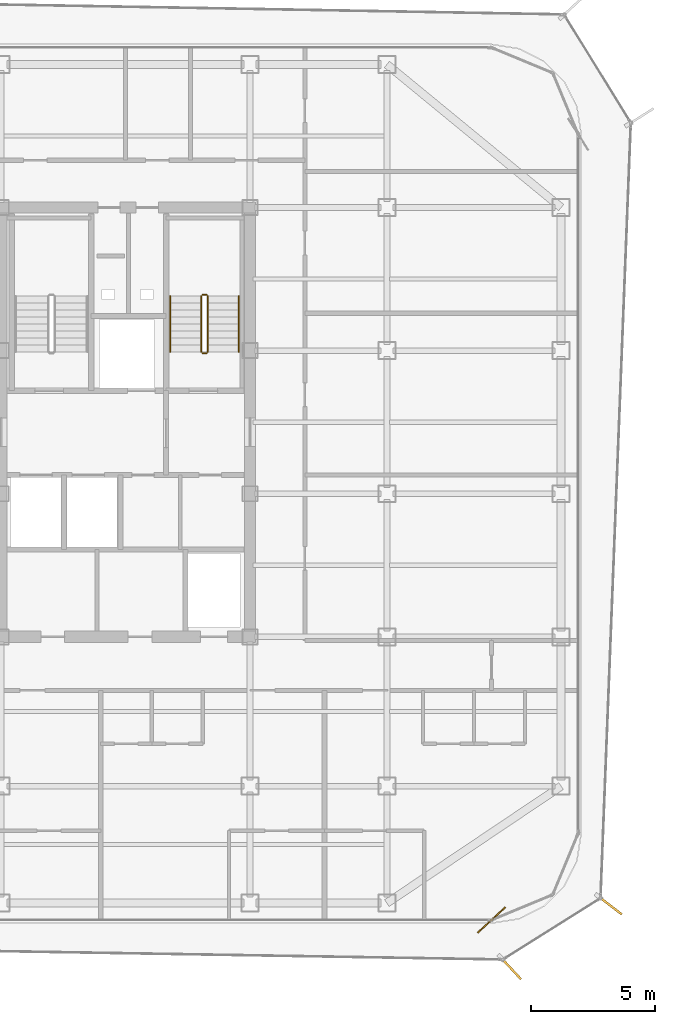
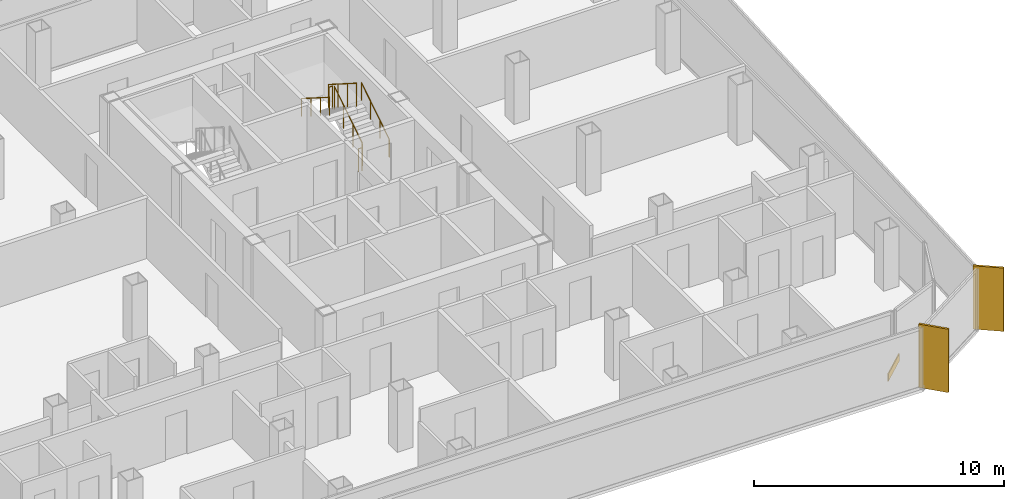
# One storey, part 15 of 16: 6 railings, 2 shading devices, 1 covering.
"""IFC4 building model written with IfcOpenShell, lengths in metres."""

import ifcopenshell
import ifcopenshell.guid

model = None  # the IFC model being written
_history = None  # IfcOwnerHistory: only IFC2X3 demands one
_inside = {}  # id of a spatial element -> (the spatial element, [elements in it])
_under = {}  # id of a project, library or spatial element -> (it, [spatial elements below it])
_declared = {}  # id of a project -> (the project, [libraries it declares])
_typed = {}  # id of a type object -> (the type object, [elements of that type])
_made_of = {}  # id of a material, layer set ... -> (it, [elements and type objects made of it])


def new_model(schema):
    """Start an empty IFC model of exactly this schema.

    Asked for "IFC4X3", IfcOpenShell would pick the latest addendum, in which some entities
    have other attributes; the version numbers below select the first issue.
    IFC2X3 requires an IfcOwnerHistory on every rooted entity: one is made here for all.
    """
    global model, _history
    if schema == "IFC4X3":
        model = ifcopenshell.file(schema_version=(4, 3, 0, 0))
    else:
        model = ifcopenshell.file(schema=schema)
    _inside.clear()
    _under.clear()
    _declared.clear()
    _typed.clear()
    _made_of.clear()
    _history = None
    if model.schema == "IFC2X3":
        org = make("IfcOrganization", Name="unknown")
        user = make(
            "IfcPersonAndOrganization",
            ThePerson=make("IfcPerson", FamilyName="unknown"),
            TheOrganization=org,
        )
        app = make(
            "IfcApplication",
            ApplicationDeveloper=org,
            Version="unknown",
            ApplicationFullName="unknown",
            ApplicationIdentifier="unknown",
        )
        _history = make(
            "IfcOwnerHistory",
            OwningUser=user,
            OwningApplication=app,
            ChangeAction="ADDED",
            CreationDate=0,
        )
    return model


def make(cls, **values):
    """One entity of the class cls with the attributes given. An attribute that is None is left unset."""
    return model.create_entity(
        cls, **{name: value for name, value in values.items() if value is not None}
    )


def rooted(cls, **values):
    """An entity with a GlobalId (a new one), such as an element, a storey or a relation."""
    return make(cls, GlobalId=ifcopenshell.guid.new(), OwnerHistory=_history, **values)


def si_unit(unit_type, name, prefix=None):
    """IfcSIUnit, for example si_unit("LENGTHUNIT", "METRE", prefix="MILLI")."""
    return make("IfcSIUnit", UnitType=unit_type, Prefix=prefix, Name=name)


def assignment(units):
    """IfcUnitAssignment: the units of a project."""
    return None if units is None else make("IfcUnitAssignment", Units=units)


def point(xyz):
    """IfcCartesianPoint."""
    return None if xyz is None else make("IfcCartesianPoint", Coordinates=xyz)


def direction(xyz):
    """IfcDirection."""
    return None if xyz is None else make("IfcDirection", DirectionRatios=xyz)


def frame(location, z_axis=None, x_axis=None):
    """IfcAxis2Placement3D, a coordinate frame: its origin and axes. An axis left out is left unset."""
    return make(
        "IfcAxis2Placement3D",
        Location=point(location),
        Axis=direction(z_axis),
        RefDirection=direction(x_axis),
    )


def frame_2d(location, x_axis=None):
    """IfcAxis2Placement2D, a coordinate frame in the plane: its origin and x axis."""
    return make(
        "IfcAxis2Placement2D", Location=point(location), RefDirection=direction(x_axis)
    )


def origin():
    """The frame at (0, 0, 0) with its axes left unset."""
    return frame((0.0, 0.0, 0.0))


def origin_2d():
    """The frame at (0, 0) in the plane with its x axis left unset."""
    return frame_2d((0.0, 0.0))


def place(relative_to, where):
    """IfcLocalPlacement: puts the frame where relative to a parent placement (None: the world)."""
    return make(
        "IfcLocalPlacement", PlacementRelTo=relative_to, RelativePlacement=where
    )


def context(
    kind, dimensions, precision=None, world=None, true_north=None, identifier=None
):
    """IfcGeometricRepresentationContext, for example the 3D "Model" context."""
    return make(
        "IfcGeometricRepresentationContext",
        ContextIdentifier=identifier,
        ContextType=kind,
        CoordinateSpaceDimension=dimensions,
        Precision=precision,
        WorldCoordinateSystem=world,
        TrueNorth=true_north,
    )


def subcontext(parent, identifier, kind, view, scale=None):
    """IfcGeometricRepresentationSubContext, for example "Body" below "Model"."""
    return make(
        "IfcGeometricRepresentationSubContext",
        ContextIdentifier=identifier,
        ContextType=kind,
        ParentContext=parent,
        TargetScale=scale,
        TargetView=view,
    )


def project(units=None, contexts=None):
    """IfcProject with its units and contexts."""
    return rooted(
        "IfcProject",
        Name="project",
        RepresentationContexts=contexts,
        UnitsInContext=assignment(units),
    )


def spatial(cls, under=None, at=None, **own):
    """A site, building, storey or space (cls), placed at a placement, below another one or the project."""
    s = rooted(cls, ObjectPlacement=at, **own)
    if under is not None:
        _under.setdefault(under.id(), (under, []))[1].append(s)
    return s


def profile(cls, at=None, kind="AREA", **sizes):
    """A parametric profile (cls). Its sizes go by their IFC names, for example OverallWidth=200.0."""
    return make(cls, ProfileType=kind, Position=at, **sizes)


def rectangle(**sizes):
    """IfcRectangleProfileDef."""
    return profile("IfcRectangleProfileDef", **sizes)


def circle(**sizes):
    """IfcCircleProfileDef."""
    return profile("IfcCircleProfileDef", **sizes)


def extrude(swept, where, along, depth):
    """IfcExtrudedAreaSolid: the profile swept, set in the frame where, extruded along a direction by depth."""
    return make(
        "IfcExtrudedAreaSolid",
        SweptArea=swept,
        Position=where,
        ExtrudedDirection=direction(along),
        Depth=depth,
    )


def shape(context_of_items, identifier, shape_type, items):
    """IfcShapeRepresentation: the items that make up one representation, for example the "Body"."""
    return make(
        "IfcShapeRepresentation",
        ContextOfItems=context_of_items,
        RepresentationIdentifier=identifier,
        RepresentationType=shape_type,
        Items=items,
    )


def source(mapping_origin, context_of_items, identifier, shape_type, items):
    """IfcRepresentationMap: a shape defined once, which mapped items show again and again."""
    return make(
        "IfcRepresentationMap",
        MappingOrigin=mapping_origin,
        MappedRepresentation=shape(context_of_items, identifier, shape_type, items),
    )


def transform(
    local_origin,
    x_axis=None,
    y_axis=None,
    z_axis=None,
    scale=None,
    scale2=None,
    scale3=None,
    uniform=True,
):
    """IfcCartesianTransformationOperator3D, or its non-uniform kind. x_axis, y_axis, z_axis: its Axis1, 2, 3."""
    if uniform:
        return make(
            "IfcCartesianTransformationOperator3D",
            Axis1=direction(x_axis),
            Axis2=direction(y_axis),
            LocalOrigin=point(local_origin),
            Scale=scale,
            Axis3=direction(z_axis),
        )
    return make(
        "IfcCartesianTransformationOperator3DnonUniform",
        Axis1=direction(x_axis),
        Axis2=direction(y_axis),
        LocalOrigin=point(local_origin),
        Scale=scale,
        Axis3=direction(z_axis),
        Scale2=scale2,
        Scale3=scale3,
    )


def mapped(mapping_source, mapping_target):
    """IfcMappedItem: shows the shape of a source again, moved by a transform."""
    return make(
        "IfcMappedItem", MappingSource=mapping_source, MappingTarget=mapping_target
    )


def material(Name=None, Category=None):
    """IfcMaterial."""
    return make("IfcMaterial", Name=Name, Category=Category)


def layer(
    of_material, thickness, ventilated=None, Name=None, Category=None, Priority=None
):
    """IfcMaterialLayer: one layer of a wall or slab, of a material (None: an air gap)."""
    return make(
        "IfcMaterialLayer",
        Material=of_material,
        LayerThickness=thickness,
        IsVentilated=ventilated,
        Name=Name,
        Category=Category,
        Priority=Priority,
    )


def layer_set(layers, Name=None):
    """IfcMaterialLayerSet."""
    return make("IfcMaterialLayerSet", MaterialLayers=layers, LayerSetName=Name)


def made_of(thing, what):
    """Note that an element or type object is made of a material, layer set ...; save() writes the relation."""
    if what is not None:
        _made_of.setdefault(what.id(), (what, []))[1].append(thing)
    return thing


def type_object(cls, material=None, **own):
    """A type object (cls), such as IfcWallType, which elements share."""
    return made_of(rooted(cls, **own), material)


def element(
    cls,
    number,
    at=None,
    inside=None,
    cuts=None,
    type_object=None,
    material=None,
    context=None,
    identifier="Body",
    shape_type=None,
    held_by="IfcProductDefinitionShape",
    body=None,
    shapes=None,
    **own,
):
    """One element of the class cls, such as IfcWall. Its Tag is "e" and its number.

    at: its placement. inside: the storey or other place that contains it. cuts: it is an
    opening in that element (IfcRelVoidsElement). A single representation is given by context,
    identifier, shape_type and body (its items); several are given by shapes. held_by: the class
    of the entity that holds the representations. save() writes the other relations.
    """
    e = rooted(cls, Tag="e%d" % number, ObjectPlacement=at, **own)
    if body is not None:
        shapes = [shape(context, identifier, shape_type, body)]
    if shapes is not None:
        e.Representation = make(held_by, Representations=shapes)
    if inside is not None:
        _inside.setdefault(inside.id(), (inside, []))[1].append(e)
    if cuts is not None:
        rooted(
            "IfcRelVoidsElement", RelatingBuildingElement=cuts, RelatedOpeningElement=e
        )
    if type_object is not None:
        _typed.setdefault(type_object.id(), (type_object, []))[1].append(e)
    return made_of(e, material)


def aggregate(whole, parts):
    """IfcRelAggregates: a whole, such as a stair, and the parts it consists of."""
    return rooted("IfcRelAggregates", RelatingObject=whole, RelatedObjects=parts)


def save(model, path):
    """Write the relations noted so far, then the file.

    IfcRelAggregates (storeys below a building ...), IfcRelContainedInSpatialStructure (elements
    in a storey), IfcRelDefinesByType, IfcRelAssociatesMaterial and IfcRelDeclares: one each for
    every whole, place, type object, material and project.
    """
    for whole, parts in _under.values():
        aggregate(whole, parts)
    for where, things in _inside.values():
        rooted(
            "IfcRelContainedInSpatialStructure",
            RelatedElements=things,
            RelatingStructure=where,
        )
    for kind, things in _typed.values():
        rooted("IfcRelDefinesByType", RelatedObjects=things, RelatingType=kind)
    for what, things in _made_of.values():
        rooted("IfcRelAssociatesMaterial", RelatedObjects=things, RelatingMaterial=what)
    for by, libraries in _declared.values():
        rooted("IfcRelDeclares", RelatingContext=by, RelatedDefinitions=libraries)
    model.write(path)


model = new_model("IFC4")

# Units and contexts
model_context = context("Model", 3, precision=1e-05, world=origin(), true_north=direction((0.0, 1.0)))
body_context = subcontext(model_context, "Body", "Model", "MODEL_VIEW")
ifc_project = project(units=[si_unit("LENGTHUNIT", "METRE"), si_unit("AREAUNIT", "SQUARE_METRE"), si_unit("VOLUMEUNIT", "CUBIC_METRE"), si_unit("PLANEANGLEUNIT", "RADIAN"), si_unit("MASSUNIT", "GRAM", prefix="KILO")], contexts=[model_context])

# Site, building, storey
site_placement = place(None, origin())
site = spatial("IfcSite", under=ifc_project, at=site_placement, CompositionType="ELEMENT")
building_placement = place(site_placement, origin())
building = spatial("IfcBuilding", under=site, at=building_placement, Name="Kolveth Station Tower", CompositionType="ELEMENT")
storey_placement = place(building_placement, frame((0.0, 0.0, 206.0)))
storey = spatial("IfcBuildingStorey", under=building, at=storey_placement, Name="L58", CompositionType="ELEMENT", Elevation=206.0)

# Railings
ifc_material_1 = material(Name="Painted Steel S355 balustrade", Category="steel")
railing_type_1 = type_object("IfcRailingType", Name="Guard_GR2", PredefinedType="BALUSTRADE", material=ifc_material_1)
railing_1_placement = place(storey_placement, frame((26.800048828125, 22.949951171875, 0.177734375)))
element("IfcRailing", 1, at=railing_1_placement, inside=storey, type_object=railing_type_1, Name="L58 ST2 stair guard 1", PredefinedType="BALUSTRADE", context=body_context, shape_type="SweptSolid", body=[
    extrude(circle(Radius=0.02392578125, at=origin_2d()), frame((0.0, 0.0, 1.1259765625), z_axis=(0.0, 0.84418770128, 0.536047689118), x_axis=(-1.0, 0.0, 0.0)), (0.0, 0.0, 1.0), 2.6533203125),
    extrude(circle(Radius=0.02099609375, at=origin_2d()), origin(), (0.0, 0.0, 1.0), 1.101806640625),
    extrude(circle(Radius=0.02099609375, at=origin_2d()), frame((0.0, 0.74658203125, 0.47412109375)), (0.0, 0.0, 1.0), 1.101806640625),
    extrude(circle(Radius=0.02099609375, at=origin_2d()), frame((0.0, 1.493408203125, 0.9482421875)), (0.0, 0.0, 1.0), 1.101806640625),
    extrude(circle(Radius=0.02099609375, at=origin_2d()), frame((0.0, 2.239990234375, 1.42236328125)), (0.0, 0.0, 1.0), 1.101806640625),
])
railing_2_placement = place(storey_placement, frame((26.75, 25.239990234375, 1.60009765625)))
element("IfcRailing", 2, at=railing_2_placement, inside=storey, type_object=railing_type_1, Name="L58 ST2 stair guard 2", PredefinedType="BALUSTRADE", context=body_context, shape_type="SweptSolid", body=[
    extrude(circle(Radius=0.02392578125, at=origin_2d()), frame((0.0, 0.0, 1.1259765625), z_axis=(-1.0, 0.0, 0.0), x_axis=(0.0, -1.0, 0.0)), (0.0, 0.0, 1.0), 0.159912109375),
    extrude(circle(Radius=0.02099609375, at=origin_2d()), origin(), (0.0, 0.0, 1.0), 1.101806640625),
    extrude(circle(Radius=0.02099609375, at=origin_2d()), frame((-0.159912109375, 0.0, 0.0)), (0.0, 0.0, 1.0), 1.101806640625),
])
railing_3_placement = place(storey_placement, frame((26.5400390625, 25.18994140625, 1.77783203125)))
element("IfcRailing", 3, at=railing_3_placement, inside=storey, type_object=railing_type_1, Name="L58 ST2 stair guard 3", PredefinedType="BALUSTRADE", context=body_context, shape_type="SweptSolid", body=[
    extrude(circle(Radius=0.02392578125, at=origin_2d()), frame((0.0, 0.0, 1.1259765625), z_axis=(0.0, -0.8442293374, 0.53598211339), x_axis=(1.0, 0.0, 0.0)), (0.0, 0.0, 1.0), 2.6533203125),
    extrude(circle(Radius=0.02099609375, at=origin_2d()), origin(), (0.0, 0.0, 1.0), 1.101806640625),
    extrude(circle(Radius=0.02099609375, at=origin_2d()), frame((0.0, -0.74658203125, 0.47412109375)), (0.0, 0.0, 1.0), 1.101806640625),
    extrude(circle(Radius=0.02099609375, at=origin_2d()), frame((0.0, -1.493408203125, 0.947998046875)), (0.0, 0.0, 1.0), 1.101806640625),
    extrude(circle(Radius=0.02099609375, at=origin_2d()), frame((0.0, -2.239990234375, 1.422119140625)), (0.0, 0.0, 1.0), 1.101806640625),
])
railing_4_placement = place(storey_placement, frame((26.75, 22.89990234375, 0.0)))
element("IfcRailing", 4, at=railing_4_placement, inside=storey, type_object=railing_type_1, Name="L58 ST2 stair guard 4", PredefinedType="BALUSTRADE", context=body_context, shape_type="SweptSolid", body=[
    extrude(circle(Radius=0.02392578125, at=origin_2d()), frame((0.0, 0.0, 1.1259765625), z_axis=(-1.0, 0.0, 0.0), x_axis=(0.0, -1.0, 0.0)), (0.0, 0.0, 1.0), 0.159912109375),
    extrude(circle(Radius=0.02099609375, at=origin_2d()), origin(), (0.0, 0.0, 1.0), 1.101806640625),
    extrude(circle(Radius=0.02099609375, at=origin_2d()), frame((-0.159912109375, 0.0, 0.0)), (0.0, 0.0, 1.0), 1.101806640625),
])
ifc_material_2 = material(Name="Brushed stainless steel", Category="steel")
railing_type_2 = type_object("IfcRailingType", Name="Handrail_HR1", PredefinedType="HANDRAIL", material=ifc_material_2)
railing_5_placement = place(storey_placement, frame((28.050048828125, 22.949951171875, 0.177734375)))
element("IfcRailing", 5, at=railing_5_placement, inside=storey, type_object=railing_type_2, Name="L58 ST2 stair handrail 1", PredefinedType="HANDRAIL", context=body_context, shape_type="SweptSolid", body=[
    extrude(circle(Radius=0.02392578125, at=origin_2d()), frame((0.0, 0.0, 0.8759765625), z_axis=(0.0, 0.84418770128, 0.536047689118), x_axis=(-1.0, 0.0, 0.0)), (0.0, 0.0, 1.0), 2.6533203125),
    extrude(circle(Radius=0.02099609375, at=origin_2d()), origin(), (0.0, 0.0, 1.0), 0.851806640625),
    extrude(circle(Radius=0.02099609375, at=origin_2d()), frame((0.0, 0.74658203125, 0.47412109375)), (0.0, 0.0, 1.0), 0.851806640625),
    extrude(circle(Radius=0.02099609375, at=origin_2d()), frame((0.0, 1.493408203125, 0.9482421875)), (0.0, 0.0, 1.0), 0.851806640625),
    extrude(circle(Radius=0.02099609375, at=origin_2d()), frame((0.0, 2.239990234375, 1.42236328125)), (0.0, 0.0, 1.0), 0.851806640625),
])
railing_6_placement = place(storey_placement, frame((25.2900390625, 25.18994140625, 1.77783203125)))
element("IfcRailing", 6, at=railing_6_placement, inside=storey, type_object=railing_type_2, Name="L58 ST2 stair handrail 2", PredefinedType="HANDRAIL", context=body_context, shape_type="SweptSolid", body=[
    extrude(circle(Radius=0.02392578125, at=origin_2d()), frame((0.0, 0.0, 0.8759765625), z_axis=(0.0, -0.8442293374, 0.53598211339), x_axis=(1.0, 0.0, 0.0)), (0.0, 0.0, 1.0), 2.6533203125),
    extrude(circle(Radius=0.02099609375, at=origin_2d()), origin(), (0.0, 0.0, 1.0), 0.851806640625),
    extrude(circle(Radius=0.02099609375, at=origin_2d()), frame((0.0, -0.74658203125, 0.47412109375)), (0.0, 0.0, 1.0), 0.851806640625),
    extrude(circle(Radius=0.02099609375, at=origin_2d()), frame((0.0, -1.493408203125, 0.947998046875)), (0.0, 0.0, 1.0), 0.851806640625),
    extrude(circle(Radius=0.02099609375, at=origin_2d()), frame((0.0, -2.239990234375, 1.422119140625)), (0.0, 0.0, 1.0), 0.851806640625),
])

# Shading devices
ifc_material_3 = material(Name="Black anodized aluminium 6063-T6", Category="aluminium")
shading_device_type = type_object("IfcShadingDeviceType", Name="FIN_VF1", PredefinedType="USERDEFINED", material=ifc_material_3)
shared_shape_1 = source(origin(), body_context, "Body", "SweptSolid", [
    extrude(rectangle(XDim=1.25, YDim=0.090087890625, at=origin_2d()), origin(), (0.0, 0.0, 1.0), 3.10009765625),
])
for number, where, z_axis, x_axis, name in (
    (7, (38.962890625, -1.802001953125, 0.0), (0.0, 0.0, 1.0), (0.680465121782, -0.732780470562, 0.0), "L58 Dark-Aluminium Solar Fin 1"),
    (8, (42.945068359375, 0.72509765625, 0.0), (0.0, 0.0, 1.0), (0.793140794136, -0.609038324474, 0.0), "L58 Dark-Aluminium Solar Fin 2"),
):
    element("IfcShadingDevice", number, at=place(storey_placement, frame(where, z_axis=z_axis, x_axis=x_axis)), inside=storey, type_object=shading_device_type, Name=name, ObjectType="FIN", PredefinedType="USERDEFINED", context=body_context, shape_type="MappedRepresentation", body=[
        mapped(shared_shape_1, transform((0.0, 0.0, 0.0), x_axis=(1.0, 0.0, 0.0), y_axis=(0.0, 1.0, 0.0), z_axis=(0.0, 0.0, 1.0), scale=1.0)),
    ])

# Covering
ifc_material_4 = material(Name="Charcoal anodized aluminium spandrel cladding", Category="aluminium")
ifc_layer = layer(ifc_material_4, 0.044921875)
ifc_layer_set = layer_set([ifc_layer], Name="Charcoal anodized aluminium spandrel cladding")
covering_type = type_object("IfcCoveringType", Name="Clad_CD1", PredefinedType="CLADDING", material=ifc_layer_set)
shared_shape_2 = source(origin(), body_context, "Body", "SweptSolid", [
    extrude(rectangle(XDim=1.5, YDim=0.044921875, at=origin_2d()), origin(), (0.0, 0.0, 1.0), 0.360107421875),
])
covering_placement = place(storey_placement, frame((38.199951171875, 0.1201171875, 0.0), z_axis=(0.0, 0.0, 1.0), x_axis=(0.732780470562, 0.680465121782, 0.0)))
element("IfcCovering", 9, at=covering_placement, inside=storey, type_object=covering_type, Name="L58 Spandrel Edge Cladding 1", PredefinedType="CLADDING", context=body_context, shape_type="MappedRepresentation", body=[
    mapped(shared_shape_2, transform((0.0, 0.0, 0.0), x_axis=(1.0, 0.0, 0.0), y_axis=(0.0, 1.0, 0.0), z_axis=(0.0, 0.0, 1.0), scale=1.0)),
])

save(model, "model.ifc")
